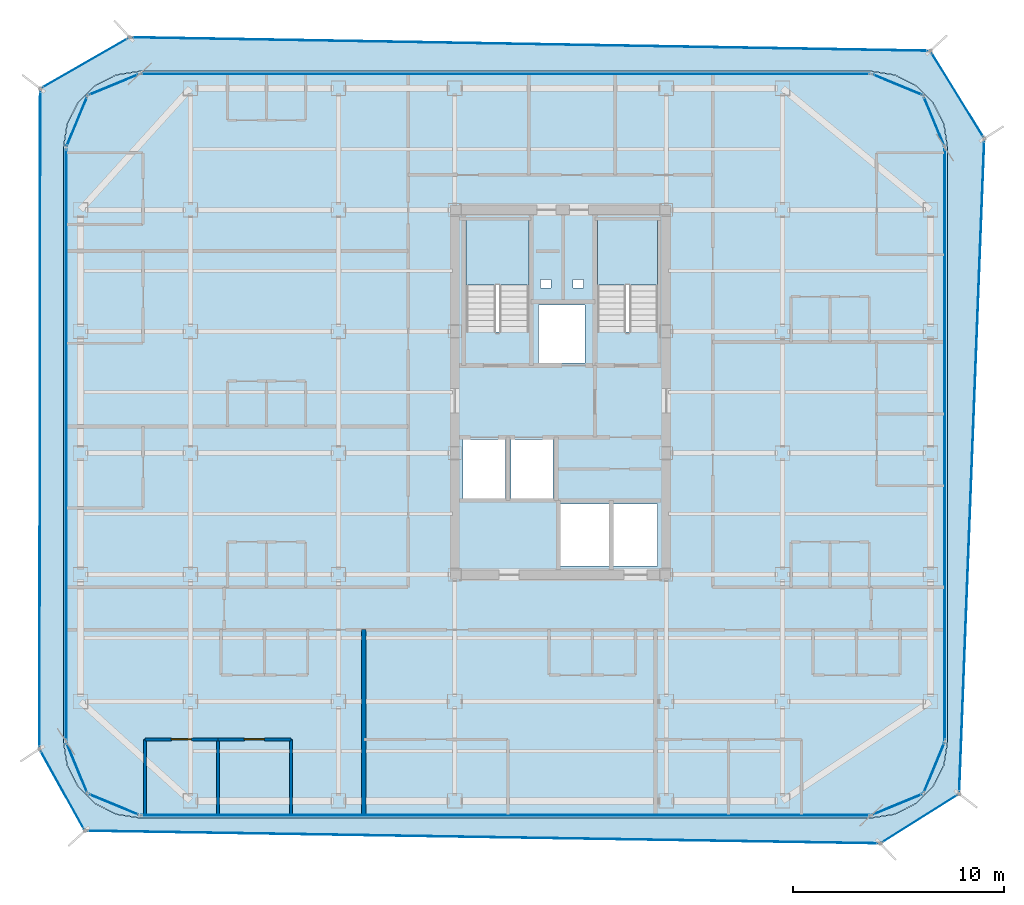
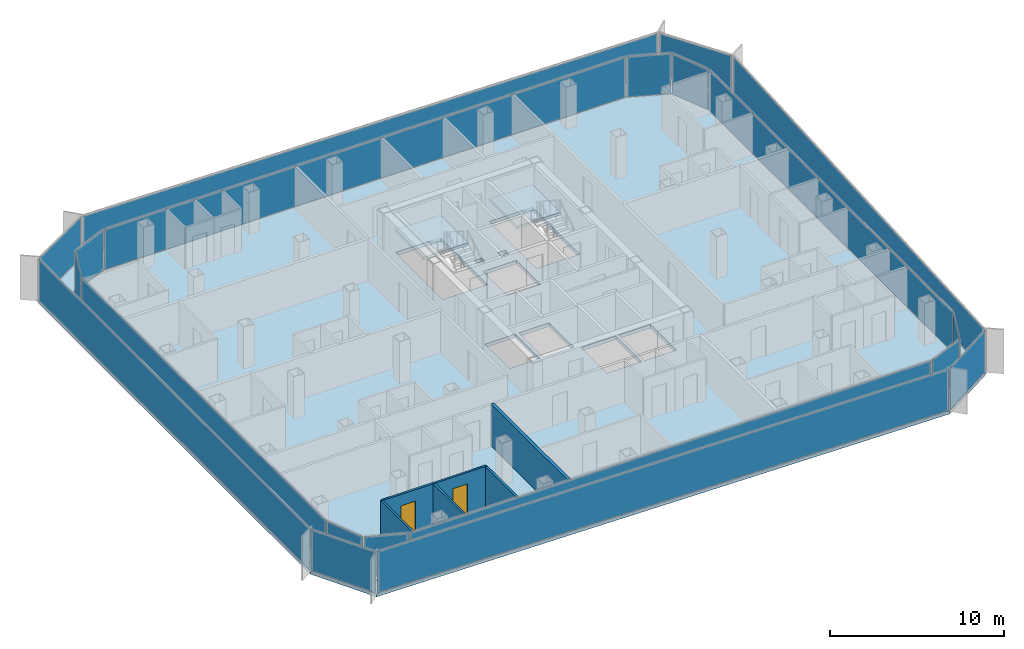
# One storey, part 9 of 16: 20 plates, 6 walls, 4 slabs, 2 doors, 2 openings, 22 elements without a shape of their own.
"""IFC4 building model written with IfcOpenShell, lengths in metres."""

from ifc_helpers import new_model, si_unit, direction, frame, frame_2d, origin, origin_2d, place, context, subcontext, project, spatial, polyline, rectangle, outline, extrude, source, transform, mapped, material, layer, layer_set, type_object, element, fill, aggregate, save


model = new_model("IFC4")

# Units and contexts
model_context = context("Model", 3, precision=1e-05, world=origin(), true_north=direction((0.0, 1.0)))
body_context = subcontext(model_context, "Body", "Model", "MODEL_VIEW")
ifc_project = project(units=[si_unit("LENGTHUNIT", "METRE"), si_unit("AREAUNIT", "SQUARE_METRE"), si_unit("VOLUMEUNIT", "CUBIC_METRE"), si_unit("PLANEANGLEUNIT", "RADIAN"), si_unit("MASSUNIT", "GRAM", prefix="KILO")], contexts=[model_context])

# Site, building, storey
site_placement = place(None, origin())
site = spatial("IfcSite", under=ifc_project, at=site_placement, CompositionType="ELEMENT")
building_placement = place(site_placement, origin())
building = spatial("IfcBuilding", under=site, at=building_placement, Name="Kolveth Station Tower", CompositionType="ELEMENT")
storey_placement = place(building_placement, frame((0.0, 0.0, 156.10009765625)))
storey = spatial("IfcBuildingStorey", under=building, at=storey_placement, Name="L43", CompositionType="ELEMENT", Elevation=156.10009765625)

# Slab
ifc_material_1 = material(Name="Concrete C40/50", Category="concrete")
ifc_layer_1 = layer(ifc_material_1, 0.25)
ifc_layer_set_1 = layer_set([ifc_layer_1], Name="Concrete C40/50")
slab_type_1 = type_object("IfcSlabType", Name="Slab_SF-250", PredefinedType="FLOOR", material=ifc_layer_set_1)
slab_1_placement = place(storey_placement, frame((0.0, 0.0, -0.25)))
element("IfcSlab", 1, at=slab_1_placement, inside=storey, type_object=slab_type_1, Name="L43 Tower Structural Floor Slab", PredefinedType="FLOOR", context=body_context, shape_type="SweptSolid", body=[
    extrude(outline(polyline([(38.199951171875, 0.0), (39.3125, 0.17626953125), (40.31591796875, 0.6875), (41.112548828125, 1.48388671875), (41.623779296875, 2.487548828125), (41.800048828125, 3.60009765625), (41.800048828125, 31.699951171875), (41.623779296875, 32.8125), (41.112548828125, 33.81591796875), (40.31591796875, 34.612548828125), (39.3125, 35.123779296875), (38.199951171875, 35.300048828125), (3.60009765625, 35.300048828125), (2.487548828125, 35.123779296875), (1.48388671875, 34.612548828125), (0.6875, 33.81591796875), (0.17626953125, 32.8125), (0.0, 31.699951171875), (0.0, 3.60009765625), (0.17626953125, 2.487548828125), (0.6875, 1.48388671875), (1.48388671875, 0.6875), (2.487548828125, 0.17626953125), (3.60009765625, 0.0), (38.199951171875, 0.0)]), holes=[polyline([(19.0400390625, 22.985107421875), (22.0, 22.985107421875), (22.0, 28.39990234375), (19.0400390625, 28.39990234375), (19.0400390625, 22.985107421875)]), polyline([(25.239990234375, 22.985107421875), (28.10009765625, 22.985107421875), (28.10009765625, 28.39990234375), (25.239990234375, 28.39990234375), (25.239990234375, 22.985107421875)]), polyline([(18.89990234375, 15.10009765625), (20.89990234375, 15.10009765625), (20.89990234375, 17.89990234375), (18.89990234375, 17.89990234375), (18.89990234375, 15.10009765625)]), polyline([(21.14990234375, 15.10009765625), (23.14990234375, 15.10009765625), (23.14990234375, 17.89990234375), (21.14990234375, 17.89990234375), (21.14990234375, 15.10009765625)]), polyline([(22.449951171875, 21.5), (24.64990234375, 21.5), (24.64990234375, 24.25), (22.449951171875, 24.25), (22.449951171875, 21.5)]), polyline([(23.5, 11.89990234375), (25.800048828125, 11.89990234375), (25.800048828125, 14.85009765625), (23.5, 14.85009765625), (23.5, 11.89990234375)]), polyline([(26.0, 11.89990234375), (28.10009765625, 11.89990234375), (28.10009765625, 14.85009765625), (26.0, 14.85009765625), (26.0, 11.89990234375)]), polyline([(22.550048828125, 25.050048828125), (23.050048828125, 25.050048828125), (23.050048828125, 25.449951171875), (22.550048828125, 25.449951171875), (22.550048828125, 25.050048828125)]), polyline([(24.10009765625, 25.050048828125), (24.60009765625, 25.050048828125), (24.60009765625, 25.449951171875), (24.10009765625, 25.449951171875), (24.10009765625, 25.050048828125)])]), origin(), (0.0, 0.0, 1.0), 0.25),
])

# Stair, slab
stair_type_1 = type_object("IfcStairType", Name="Stair_ST2", PredefinedType="HALF_TURN_STAIR", material=ifc_material_1)
stair_1_placement = place(storey_placement, origin())
stair_1 = element("IfcStair", 2, at=stair_1_placement, inside=storey, type_object=stair_type_1, Name="L43 Tower Exit Stair ST2", PredefinedType="HALF_TURN_STAIR")
ifc_layer_2 = layer(ifc_material_1, 0.18994140625)
ifc_layer_set_2 = layer_set([ifc_layer_2], Name="Concrete C40/50")
slab_type_2 = type_object("IfcSlabType", Name="Slab_SL-190", PredefinedType="LANDING", material=ifc_layer_set_2)
slab_2_placement = place(storey_placement, frame((0.0, 0.0, 1.39990234375)))
slab_2 = element("IfcSlab", 3, at=slab_2_placement, type_object=slab_type_2, Name="ST2 landing 1", PredefinedType="LANDING", context=body_context, shape_type="SweptSolid", body=[
    extrude(outline(polyline([(28.10009765625, 25.18994140625), (28.10009765625, 28.39990234375), (25.239990234375, 28.39990234375), (25.239990234375, 25.18994140625), (28.10009765625, 25.18994140625)])), origin(), (0.0, 0.0, 1.0), 0.199951171875),
])
aggregate(stair_1, [slab_2])

stair_type_2 = type_object("IfcStairType", Name="Stair_ST1", PredefinedType="HALF_TURN_STAIR", material=ifc_material_1)
stair_2_placement = place(storey_placement, origin())
stair_2 = element("IfcStair", 4, at=stair_2_placement, inside=storey, type_object=stair_type_2, Name="L43 Tower Exit Stair ST1", PredefinedType="HALF_TURN_STAIR")
ifc_layer_3 = layer(ifc_material_1, 0.205078125)
ifc_layer_set_3 = layer_set([ifc_layer_3], Name="Concrete C40/50")
slab_type_3 = type_object("IfcSlabType", Name="Slab_SL-205", PredefinedType="LANDING", material=ifc_layer_set_3)
slab_3_placement = place(storey_placement, frame((0.0, 0.0, 1.39990234375)))
slab_3 = element("IfcSlab", 5, at=slab_3_placement, type_object=slab_type_3, Name="ST1 landing 1", PredefinedType="LANDING", context=body_context, shape_type="SweptSolid", body=[
    extrude(outline(polyline([(22.0, 25.18994140625), (22.0, 28.39990234375), (19.0400390625, 28.39990234375), (19.0400390625, 25.18994140625), (22.0, 25.18994140625)])), origin(), (0.0, 0.0, 1.0), 0.199951171875),
])
aggregate(stair_2, [slab_3])

# Slab
ifc_layer_4 = layer(ifc_material_1, 0.2099609375)
ifc_layer_set_4 = layer_set([ifc_layer_4], Name="Concrete C40/50")
slab_type_4 = type_object("IfcSlabType", Name="Slab_ST-210", PredefinedType="FLOOR", material=ifc_layer_set_4)
slab_4_placement = place(storey_placement, frame((0.0, 0.0, -0.210205078125)))
element("IfcSlab", 6, at=slab_4_placement, inside=storey, type_object=slab_type_4, Name="L43 Double-Skin Cavity Structural Ledger Ring", PredefinedType="FLOOR", context=body_context, shape_type="SweptSolid", body=[
    extrude(outline(polyline([(1.010986328125, -0.614501953125), (-1.13671875, 3.25390625), (-1.100341796875, 34.480712890625), (3.12646484375, 36.908935546875), (40.99169921875, 36.269775390625), (43.5458984375, 32.122314453125), (42.355712890625, 1.132080078125), (38.62451171875, -1.2119140625), (1.010986328125, -0.614501953125)]), holes=[polyline([(38.202392578125, -0.014892578125), (39.314697265625, 0.161376953125), (39.3193359375, 0.162841796875), (40.32275390625, 0.674072265625), (40.32666015625, 0.677001953125), (41.123046875, 1.473388671875), (41.1259765625, 1.477294921875), (41.63720703125, 2.480712890625), (41.638671875, 2.485107421875), (41.814697265625, 3.59765625), (41.81494140625, 3.60009765625), (41.81494140625, 31.699951171875), (41.814697265625, 31.702392578125), (41.638671875, 32.814697265625), (41.63720703125, 32.8193359375), (41.1259765625, 33.82275390625), (41.123046875, 33.82666015625), (40.32666015625, 34.623046875), (40.32275390625, 34.6259765625), (39.3193359375, 35.13720703125), (39.314697265625, 35.138671875), (38.202392578125, 35.314697265625), (38.199951171875, 35.31494140625), (3.60009765625, 35.31494140625), (3.59765625, 35.314697265625), (2.485107421875, 35.138671875), (2.480712890625, 35.13720703125), (1.477294921875, 34.6259765625), (1.473388671875, 34.623046875), (0.677001953125, 33.82666015625), (0.674072265625, 33.82275390625), (0.162841796875, 32.8193359375), (0.161376953125, 32.814697265625), (-0.014892578125, 31.702392578125), (-0.014892578125, 31.699951171875), (-0.014892578125, 3.60009765625), (-0.014892578125, 3.59765625), (0.161376953125, 2.485107421875), (0.162841796875, 2.480712890625), (0.674072265625, 1.477294921875), (0.677001953125, 1.473388671875), (1.473388671875, 0.677001953125), (1.477294921875, 0.674072265625), (2.480712890625, 0.162841796875), (2.485107421875, 0.161376953125), (3.59765625, -0.014892578125), (3.60009765625, -0.014892578125), (38.199951171875, -0.014892578125), (38.202392578125, -0.014892578125)])]), origin(), (0.0, 0.0, 1.0), 0.210205078125),
])

# Curtain wall, plate
ifc_material_2 = material(Name="Aluminium 6063-T6 and low-E dark glass", Category="aluminium")
ifc_layer_5 = layer(ifc_material_2, 0.18994140625)
ifc_layer_set_5 = layer_set([ifc_layer_5], Name="Aluminium 6063-T6 and low-E dark glass")
curtain_wall_type_1 = type_object("IfcCurtainWallType", Name="CurtainWall_CW-Z2", PredefinedType="NOTDEFINED", material=ifc_layer_set_5)
curtain_wall_1_placement = place(storey_placement, origin())
curtain_wall_1 = element("IfcCurtainWall", 7, at=curtain_wall_1_placement, inside=storey, type_object=curtain_wall_type_1, Name="L43 Inner Thermal Curtain Wall 1", PredefinedType="NOTDEFINED")
ifc_material_3 = material(Name="Architectural low-E dark glass", Category="glass")
ifc_layer_6 = layer(ifc_material_3, 0.0380859375)
ifc_layer_set_6 = layer_set([ifc_layer_6], Name="Architectural low-E dark glass")
plate_type_1 = type_object("IfcPlateType", Name="Panel_GL2", PredefinedType="CURTAIN_PANEL", material=ifc_layer_set_6)
shared_shape_1 = source(origin(), body_context, "Body", "SweptSolid", [
    extrude(rectangle(XDim=2.517578125, YDim=0.0380859375, at=origin_2d()), origin(), (0.0, 0.0, 1.0), 2.803955078125),
])
plate_1_placement = place(storey_placement, frame((39.430419921875, 0.629638671875, 0.07275390625), z_axis=(0.0, 0.0, 1.0), x_axis=(0.923873600544, 0.382697753087, 0.0)))
plate_1 = element("IfcPlate", 8, at=plate_1_placement, type_object=plate_type_1, Name="CW-Z2 panel 1.1", PredefinedType="CURTAIN_PANEL", context=body_context, shape_type="MappedRepresentation", body=[
    mapped(shared_shape_1, transform((0.0, 0.0, 0.0), x_axis=(1.0, 0.0, 0.0), y_axis=(0.0, 1.0, 0.0), z_axis=(0.0, 0.0, 1.0), scale=1.0)),
])
aggregate(curtain_wall_1, [plate_1])

curtain_wall_2_placement = place(storey_placement, origin())
curtain_wall_2 = element("IfcCurtainWall", 9, at=curtain_wall_2_placement, inside=storey, type_object=curtain_wall_type_1, Name="L43 Inner Thermal Curtain Wall 2", PredefinedType="NOTDEFINED")
plate_2_placement = place(storey_placement, frame((41.17041015625, 2.36962890625, 0.07275390625), z_axis=(0.0, 0.0, 1.0), x_axis=(0.382697753087, 0.923873600544, 0.0)))
plate_2 = element("IfcPlate", 10, at=plate_2_placement, type_object=plate_type_1, Name="CW-Z2 panel 1.1", PredefinedType="CURTAIN_PANEL", context=body_context, shape_type="MappedRepresentation", body=[
    mapped(shared_shape_1, transform((0.0, 0.0, 0.0), x_axis=(1.0, 0.0, 0.0), y_axis=(0.0, 1.0, 0.0), z_axis=(0.0, 0.0, 1.0), scale=1.0)),
])
aggregate(curtain_wall_2, [plate_2])

curtain_wall_3_placement = place(storey_placement, origin())
curtain_wall_3 = element("IfcCurtainWall", 11, at=curtain_wall_3_placement, inside=storey, type_object=curtain_wall_type_1, Name="L43 Inner Thermal Curtain Wall 4", PredefinedType="NOTDEFINED")
plate_3_placement = place(storey_placement, frame((41.17041015625, 32.930419921875, 0.07275390625), z_axis=(0.0, 0.0, 1.0), x_axis=(-0.382697753087, 0.923873600544, 0.0)))
plate_3 = element("IfcPlate", 12, at=plate_3_placement, type_object=plate_type_1, Name="CW-Z2 panel 1.1", PredefinedType="CURTAIN_PANEL", context=body_context, shape_type="MappedRepresentation", body=[
    mapped(shared_shape_1, transform((0.0, 0.0, 0.0), x_axis=(1.0, 0.0, 0.0), y_axis=(0.0, 1.0, 0.0), z_axis=(0.0, 0.0, 1.0), scale=1.0)),
])
aggregate(curtain_wall_3, [plate_3])

curtain_wall_4_placement = place(storey_placement, origin())
curtain_wall_4 = element("IfcCurtainWall", 13, at=curtain_wall_4_placement, inside=storey, type_object=curtain_wall_type_1, Name="L43 Inner Thermal Curtain Wall 5", PredefinedType="NOTDEFINED")
plate_4_placement = place(storey_placement, frame((39.430419921875, 34.67041015625, 0.07275390625), z_axis=(0.0, 0.0, 1.0), x_axis=(-0.923873600544, 0.382697753087, 0.0)))
plate_4 = element("IfcPlate", 14, at=plate_4_placement, type_object=plate_type_1, Name="CW-Z2 panel 1.1", PredefinedType="CURTAIN_PANEL", context=body_context, shape_type="MappedRepresentation", body=[
    mapped(shared_shape_1, transform((0.0, 0.0, 0.0), x_axis=(1.0, 0.0, 0.0), y_axis=(0.0, 1.0, 0.0), z_axis=(0.0, 0.0, 1.0), scale=1.0)),
])
aggregate(curtain_wall_4, [plate_4])

curtain_wall_5_placement = place(storey_placement, origin())
curtain_wall_5 = element("IfcCurtainWall", 15, at=curtain_wall_5_placement, inside=storey, type_object=curtain_wall_type_1, Name="L43 Inner Thermal Curtain Wall 7", PredefinedType="NOTDEFINED")
plate_5_placement = place(storey_placement, frame((2.36962890625, 34.67041015625, 0.07275390625), z_axis=(0.0, 0.0, 1.0), x_axis=(-0.923873600544, -0.382697753087, 0.0)))
plate_5 = element("IfcPlate", 16, at=plate_5_placement, type_object=plate_type_1, Name="CW-Z2 panel 1.1", PredefinedType="CURTAIN_PANEL", context=body_context, shape_type="MappedRepresentation", body=[
    mapped(shared_shape_1, transform((0.0, 0.0, 0.0), x_axis=(1.0, 0.0, 0.0), y_axis=(0.0, 1.0, 0.0), z_axis=(0.0, 0.0, 1.0), scale=1.0)),
])
aggregate(curtain_wall_5, [plate_5])

curtain_wall_6_placement = place(storey_placement, origin())
curtain_wall_6 = element("IfcCurtainWall", 17, at=curtain_wall_6_placement, inside=storey, type_object=curtain_wall_type_1, Name="L43 Inner Thermal Curtain Wall 8", PredefinedType="NOTDEFINED")
plate_6_placement = place(storey_placement, frame((0.629638671875, 32.930419921875, 0.07275390625), z_axis=(0.0, 0.0, 1.0), x_axis=(-0.382697753087, -0.923873600544, 0.0)))
plate_6 = element("IfcPlate", 18, at=plate_6_placement, type_object=plate_type_1, Name="CW-Z2 panel 1.1", PredefinedType="CURTAIN_PANEL", context=body_context, shape_type="MappedRepresentation", body=[
    mapped(shared_shape_1, transform((0.0, 0.0, 0.0), x_axis=(1.0, 0.0, 0.0), y_axis=(0.0, 1.0, 0.0), z_axis=(0.0, 0.0, 1.0), scale=1.0)),
])
aggregate(curtain_wall_6, [plate_6])

curtain_wall_7_placement = place(storey_placement, origin())
curtain_wall_7 = element("IfcCurtainWall", 19, at=curtain_wall_7_placement, inside=storey, type_object=curtain_wall_type_1, Name="L43 Inner Thermal Curtain Wall 10", PredefinedType="NOTDEFINED")
plate_7_placement = place(storey_placement, frame((0.629638671875, 2.36962890625, 0.07275390625), z_axis=(0.0, 0.0, 1.0), x_axis=(0.382697753087, -0.923873600544, 0.0)))
plate_7 = element("IfcPlate", 20, at=plate_7_placement, type_object=plate_type_1, Name="CW-Z2 panel 1.1", PredefinedType="CURTAIN_PANEL", context=body_context, shape_type="MappedRepresentation", body=[
    mapped(shared_shape_1, transform((0.0, 0.0, 0.0), x_axis=(1.0, 0.0, 0.0), y_axis=(0.0, 1.0, 0.0), z_axis=(0.0, 0.0, 1.0), scale=1.0)),
])
aggregate(curtain_wall_7, [plate_7])

curtain_wall_8_placement = place(storey_placement, origin())
curtain_wall_8 = element("IfcCurtainWall", 21, at=curtain_wall_8_placement, inside=storey, type_object=curtain_wall_type_1, Name="L43 Inner Thermal Curtain Wall 11", PredefinedType="NOTDEFINED")
plate_8_placement = place(storey_placement, frame((2.36962890625, 0.629638671875, 0.07275390625), z_axis=(0.0, 0.0, 1.0), x_axis=(0.923873600544, -0.382697753087, 0.0)))
plate_8 = element("IfcPlate", 22, at=plate_8_placement, type_object=plate_type_1, Name="CW-Z2 panel 1.1", PredefinedType="CURTAIN_PANEL", context=body_context, shape_type="MappedRepresentation", body=[
    mapped(shared_shape_1, transform((0.0, 0.0, 0.0), x_axis=(1.0, 0.0, 0.0), y_axis=(0.0, 1.0, 0.0), z_axis=(0.0, 0.0, 1.0), scale=1.0)),
])
aggregate(curtain_wall_8, [plate_8])

curtain_wall_9_placement = place(storey_placement, origin())
curtain_wall_9 = element("IfcCurtainWall", 23, at=curtain_wall_9_placement, inside=storey, type_object=curtain_wall_type_1, Name="L43 Inner Thermal Curtain Wall 3", PredefinedType="NOTDEFINED")
shared_shape_2 = source(origin(), body_context, "Body", "SweptSolid", [
    extrude(rectangle(XDim=27.9541015625, YDim=0.0380859375, at=origin_2d()), origin(), (0.0, 0.0, 1.0), 2.803955078125),
])
plate_9_placement = place(storey_placement, frame((41.679931640625, 17.64990234375, 0.07275390625), z_axis=(0.0, 0.0, 1.0), x_axis=(0.0, 1.0, 0.0)))
plate_9 = element("IfcPlate", 24, at=plate_9_placement, type_object=plate_type_1, Name="CW-Z2 panel 1.1", PredefinedType="CURTAIN_PANEL", context=body_context, shape_type="MappedRepresentation", body=[
    mapped(shared_shape_2, transform((0.0, 0.0, 0.0), x_axis=(1.0, 0.0, 0.0), y_axis=(0.0, 1.0, 0.0), z_axis=(0.0, 0.0, 1.0), scale=1.0)),
])
aggregate(curtain_wall_9, [plate_9])

curtain_wall_10_placement = place(storey_placement, origin())
curtain_wall_10 = element("IfcCurtainWall", 25, at=curtain_wall_10_placement, inside=storey, type_object=curtain_wall_type_1, Name="L43 Inner Thermal Curtain Wall 9", PredefinedType="NOTDEFINED")
plate_10_placement = place(storey_placement, frame((0.1201171875, 17.64990234375, 0.07275390625), z_axis=(0.0, 0.0, 1.0), x_axis=(0.0, -1.0, 0.0)))
plate_10 = element("IfcPlate", 26, at=plate_10_placement, type_object=plate_type_1, Name="CW-Z2 panel 1.1", PredefinedType="CURTAIN_PANEL", context=body_context, shape_type="MappedRepresentation", body=[
    mapped(shared_shape_2, transform((0.0, 0.0, 0.0), x_axis=(1.0, 0.0, 0.0), y_axis=(0.0, 1.0, 0.0), z_axis=(0.0, 0.0, 1.0), scale=1.0)),
])
aggregate(curtain_wall_10, [plate_10])

curtain_wall_11_placement = place(storey_placement, origin())
curtain_wall_11 = element("IfcCurtainWall", 27, at=curtain_wall_11_placement, inside=storey, type_object=curtain_wall_type_1, Name="L43 Inner Thermal Curtain Wall 6", PredefinedType="NOTDEFINED")
shared_shape_3 = source(origin(), body_context, "Body", "SweptSolid", [
    extrude(rectangle(XDim=34.4541015625, YDim=0.0380859375, at=origin_2d()), origin(), (0.0, 0.0, 1.0), 2.803955078125),
])
plate_11_placement = place(storey_placement, frame((20.89990234375, 35.179931640625, 0.07275390625), z_axis=(0.0, 0.0, 1.0), x_axis=(-1.0, 0.0, 0.0)))
plate_11 = element("IfcPlate", 28, at=plate_11_placement, type_object=plate_type_1, Name="CW-Z2 panel 1.1", PredefinedType="CURTAIN_PANEL", context=body_context, shape_type="MappedRepresentation", body=[
    mapped(shared_shape_3, transform((0.0, 0.0, 0.0), x_axis=(1.0, 0.0, 0.0), y_axis=(0.0, 1.0, 0.0), z_axis=(0.0, 0.0, 1.0), scale=1.0)),
])
aggregate(curtain_wall_11, [plate_11])

curtain_wall_12_placement = place(storey_placement, origin())
curtain_wall_12 = element("IfcCurtainWall", 29, at=curtain_wall_12_placement, inside=storey, type_object=curtain_wall_type_1, Name="L43 Inner Thermal Curtain Wall 12", PredefinedType="NOTDEFINED")
plate_12_placement = place(storey_placement, frame((20.89990234375, 0.1201171875, 0.07275390625), z_axis=(0.0, 0.0, 1.0), x_axis=(1.0, 0.0, 0.0)))
plate_12 = element("IfcPlate", 30, at=plate_12_placement, type_object=plate_type_1, Name="CW-Z2 panel 1.1", PredefinedType="CURTAIN_PANEL", context=body_context, shape_type="MappedRepresentation", body=[
    mapped(shared_shape_3, transform((0.0, 0.0, 0.0), x_axis=(1.0, 0.0, 0.0), y_axis=(0.0, 1.0, 0.0), z_axis=(0.0, 0.0, 1.0), scale=1.0)),
])
aggregate(curtain_wall_12, [plate_12])

ifc_material_4 = material(Name="Black anodized aluminium 6063-T6 and dark solar glass", Category="aluminium")
ifc_layer_7 = layer(ifc_material_4, 0.159912109375)
ifc_layer_set_7 = layer_set([ifc_layer_7], Name="Black anodized aluminium 6063-T6 and dark solar glass")
curtain_wall_type_2 = type_object("IfcCurtainWallType", Name="OUTER SKIN CW-OS", PredefinedType="NOTDEFINED", material=ifc_layer_set_7)
curtain_wall_13_placement = place(storey_placement, origin())
curtain_wall_13 = element("IfcCurtainWall", 31, at=curtain_wall_13_placement, inside=storey, type_object=curtain_wall_type_2, Name="L43 Outer Ventilated Skin Curtain Wall 1", PredefinedType="NOTDEFINED")
ifc_layer_8 = layer(ifc_material_3, 0.028076171875)
ifc_layer_set_8 = layer_set([ifc_layer_8], Name="Architectural low-E dark glass")
plate_type_2 = type_object("IfcPlateType", Name="Panel_GL-OS", PredefinedType="CURTAIN_PANEL", material=ifc_layer_set_8)
shared_shape_4 = source(origin(), body_context, "Body", "SweptSolid", [
    extrude(rectangle(XDim=4.240234375, YDim=0.028076171875, at=origin_2d()), origin(), (0.0, 0.0, 1.0), 2.843994140625),
])
plate_13_placement = place(storey_placement, frame((40.490234375, -0.039794921875, 0.07275390625), z_axis=(0.0, 0.0, 1.0), x_axis=(0.846765654906, 0.531966094475, 0.0)))
plate_13 = element("IfcPlate", 32, at=plate_13_placement, type_object=plate_type_2, Name="CW-OS panel 1.1", PredefinedType="CURTAIN_PANEL", context=body_context, shape_type="MappedRepresentation", body=[
    mapped(shared_shape_4, transform((0.0, 0.0, 0.0), x_axis=(1.0, 0.0, 0.0), y_axis=(0.0, 1.0, 0.0), z_axis=(0.0, 0.0, 1.0), scale=1.0)),
])
aggregate(curtain_wall_13, [plate_13])

curtain_wall_14_placement = place(storey_placement, origin())
curtain_wall_14 = element("IfcCurtainWall", 33, at=curtain_wall_14_placement, inside=storey, type_object=curtain_wall_type_2, Name="L43 Outer Ventilated Skin Curtain Wall 2", PredefinedType="NOTDEFINED")
shared_shape_5 = source(origin(), body_context, "Body", "SweptSolid", [
    extrude(rectangle(XDim=30.846923828125, YDim=0.028076171875, at=origin_2d()), origin(), (0.0, 0.0, 1.0), 2.843994140625),
])
plate_14_placement = place(storey_placement, frame((42.95068359375, 16.627197265625, 0.07275390625), z_axis=(0.0, 0.0, 1.0), x_axis=(0.038374300635, 0.999263435262, 0.0)))
plate_14 = element("IfcPlate", 34, at=plate_14_placement, type_object=plate_type_2, Name="CW-OS panel 1.1", PredefinedType="CURTAIN_PANEL", context=body_context, shape_type="MappedRepresentation", body=[
    mapped(shared_shape_5, transform((0.0, 0.0, 0.0), x_axis=(1.0, 0.0, 0.0), y_axis=(0.0, 1.0, 0.0), z_axis=(0.0, 0.0, 1.0), scale=1.0)),
])
aggregate(curtain_wall_14, [plate_14])

curtain_wall_15_placement = place(storey_placement, origin())
curtain_wall_15 = element("IfcCurtainWall", 35, at=curtain_wall_15_placement, inside=storey, type_object=curtain_wall_type_2, Name="L43 Outer Ventilated Skin Curtain Wall 3", PredefinedType="NOTDEFINED")
shared_shape_6 = source(origin(), body_context, "Body", "SweptSolid", [
    extrude(rectangle(XDim=4.704833984375, YDim=0.028076171875, at=origin_2d()), origin(), (0.0, 0.0, 1.0), 2.843994140625),
])
plate_15_placement = place(storey_placement, frame((42.268798828125, 34.196044921875, 0.07275390625), z_axis=(0.0, 0.0, 1.0), x_axis=(-0.524340241767, 0.851508843679, 0.0)))
plate_15 = element("IfcPlate", 36, at=plate_15_placement, type_object=plate_type_2, Name="CW-OS panel 1.1", PredefinedType="CURTAIN_PANEL", context=body_context, shape_type="MappedRepresentation", body=[
    mapped(shared_shape_6, transform((0.0, 0.0, 0.0), x_axis=(1.0, 0.0, 0.0), y_axis=(0.0, 1.0, 0.0), z_axis=(0.0, 0.0, 1.0), scale=1.0)),
])
aggregate(curtain_wall_15, [plate_15])

curtain_wall_16_placement = place(storey_placement, origin())
curtain_wall_16 = element("IfcCurtainWall", 37, at=curtain_wall_16_placement, inside=storey, type_object=curtain_wall_type_2, Name="L43 Outer Ventilated Skin Curtain Wall 4", PredefinedType="NOTDEFINED")
shared_shape_7 = source(origin(), body_context, "Body", "SweptSolid", [
    extrude(rectangle(XDim=37.70458984375, YDim=0.028076171875, at=origin_2d()), origin(), (0.0, 0.0, 1.0), 2.843994140625),
])
plate_16_placement = place(storey_placement, frame((22.05908203125, 36.58935546875, 0.07275390625), z_axis=(0.0, 0.0, 1.0), x_axis=(-0.999857548205, 0.016878486243, 0.0)))
plate_16 = element("IfcPlate", 38, at=plate_16_placement, type_object=plate_type_2, Name="CW-OS panel 1.1", PredefinedType="CURTAIN_PANEL", context=body_context, shape_type="MappedRepresentation", body=[
    mapped(shared_shape_7, transform((0.0, 0.0, 0.0), x_axis=(1.0, 0.0, 0.0), y_axis=(0.0, 1.0, 0.0), z_axis=(0.0, 0.0, 1.0), scale=1.0)),
])
aggregate(curtain_wall_16, [plate_16])

curtain_wall_17_placement = place(storey_placement, origin())
curtain_wall_17 = element("IfcCurtainWall", 39, at=curtain_wall_17_placement, inside=storey, type_object=curtain_wall_type_2, Name="L43 Outer Ventilated Skin Curtain Wall 5", PredefinedType="NOTDEFINED")
shared_shape_8 = source(origin(), body_context, "Body", "SweptSolid", [
    extrude(rectangle(XDim=4.708740234375, YDim=0.028076171875, at=origin_2d()), origin(), (0.0, 0.0, 1.0), 2.843994140625),
])
plate_17_placement = place(storey_placement, frame((1.012939453125, 35.69482421875, 0.07275390625), z_axis=(0.0, 0.0, 1.0), x_axis=(-0.867107239167, -0.498121507049, 0.0)))
plate_17 = element("IfcPlate", 40, at=plate_17_placement, type_object=plate_type_2, Name="CW-OS panel 1.1", PredefinedType="CURTAIN_PANEL", context=body_context, shape_type="MappedRepresentation", body=[
    mapped(shared_shape_8, transform((0.0, 0.0, 0.0), x_axis=(1.0, 0.0, 0.0), y_axis=(0.0, 1.0, 0.0), z_axis=(0.0, 0.0, 1.0), scale=1.0)),
])
aggregate(curtain_wall_17, [plate_17])

curtain_wall_18_placement = place(storey_placement, origin())
curtain_wall_18 = element("IfcCurtainWall", 41, at=curtain_wall_18_placement, inside=storey, type_object=curtain_wall_type_2, Name="L43 Outer Ventilated Skin Curtain Wall 6", PredefinedType="NOTDEFINED")
shared_shape_9 = source(origin(), body_context, "Body", "SweptSolid", [
    extrude(rectangle(XDim=31.06103515625, YDim=0.028076171875, at=origin_2d()), origin(), (0.0, 0.0, 1.0), 2.843994140625),
])
plate_18_placement = place(storey_placement, frame((-1.11865234375, 18.8671875, 0.07275390625), z_axis=(0.0, 0.0, 1.0), x_axis=(-0.001162454784, -0.999999324349, 0.0)))
plate_18 = element("IfcPlate", 42, at=plate_18_placement, type_object=plate_type_2, Name="CW-OS panel 1.1", PredefinedType="CURTAIN_PANEL", context=body_context, shape_type="MappedRepresentation", body=[
    mapped(shared_shape_9, transform((0.0, 0.0, 0.0), x_axis=(1.0, 0.0, 0.0), y_axis=(0.0, 1.0, 0.0), z_axis=(0.0, 0.0, 1.0), scale=1.0)),
])
aggregate(curtain_wall_18, [plate_18])

curtain_wall_19_placement = place(storey_placement, origin())
curtain_wall_19 = element("IfcCurtainWall", 43, at=curtain_wall_19_placement, inside=storey, type_object=curtain_wall_type_2, Name="L43 Outer Ventilated Skin Curtain Wall 7", PredefinedType="NOTDEFINED")
shared_shape_10 = source(origin(), body_context, "Body", "SweptSolid", [
    extrude(rectangle(XDim=4.2587890625, YDim=0.028076171875, at=origin_2d()), origin(), (0.0, 0.0, 1.0), 2.843994140625),
])
plate_19_placement = place(storey_placement, frame((-0.062744140625, 1.319580078125, 0.07275390625), z_axis=(0.0, 0.0, 1.0), x_axis=(0.485416482093, -0.874283042792, 0.0)))
plate_19 = element("IfcPlate", 44, at=plate_19_placement, type_object=plate_type_2, Name="CW-OS panel 1.1", PredefinedType="CURTAIN_PANEL", context=body_context, shape_type="MappedRepresentation", body=[
    mapped(shared_shape_10, transform((0.0, 0.0, 0.0), x_axis=(1.0, 0.0, 0.0), y_axis=(0.0, 1.0, 0.0), z_axis=(0.0, 0.0, 1.0), scale=1.0)),
])
aggregate(curtain_wall_19, [plate_19])

curtain_wall_20_placement = place(storey_placement, origin())
curtain_wall_20 = element("IfcCurtainWall", 45, at=curtain_wall_20_placement, inside=storey, type_object=curtain_wall_type_2, Name="L43 Outer Ventilated Skin Curtain Wall 8", PredefinedType="NOTDEFINED")
shared_shape_11 = source(origin(), body_context, "Body", "SweptSolid", [
    extrude(rectangle(XDim=37.4521484375, YDim=0.028076171875, at=origin_2d()), origin(), (0.0, 0.0, 1.0), 2.843994140625),
])
plate_20_placement = place(storey_placement, frame((19.81787109375, -0.913330078125, 0.07275390625), z_axis=(0.0, 0.0, 1.0), x_axis=(0.999873937646, -0.015877934865, 0.0)))
plate_20 = element("IfcPlate", 46, at=plate_20_placement, type_object=plate_type_2, Name="CW-OS panel 1.1", PredefinedType="CURTAIN_PANEL", context=body_context, shape_type="MappedRepresentation", body=[
    mapped(shared_shape_11, transform((0.0, 0.0, 0.0), x_axis=(1.0, 0.0, 0.0), y_axis=(0.0, 1.0, 0.0), z_axis=(0.0, 0.0, 1.0), scale=1.0)),
])
aggregate(curtain_wall_20, [plate_20])

# Walls
ifc_material_5 = material(Name="Moisture-resistant gypsum partition")
ifc_layer_9 = layer(ifc_material_5, 0.135009765625)
ifc_layer_set_9 = layer_set([ifc_layer_9], Name="Moisture-resistant gypsum partition")
wall_type_1 = type_object("IfcWallType", Name="Wall_IW-135", PredefinedType="PARTITIONING", material=ifc_layer_set_9)
for number, where, z_axis, x_axis, name in (
    (47, (3.85009765625, 0.159912109375, 0.0), (0.0, 0.0, 1.0), (0.0, 1.0, 0.0), "L43 Partition Wall WL-L43-A1-BDV0"),
    (48, (10.75, 0.159912109375, 0.0), (0.0, 0.0, 1.0), (0.0, 1.0, 0.0), "L43 Partition Wall WL-L43-A1-BDVE"),
):
    element("IfcWall", number, at=place(storey_placement, frame(where, z_axis=z_axis, x_axis=x_axis)), inside=storey, type_object=wall_type_1, Name=name, PredefinedType="PARTITIONING", context=body_context, shape_type="SweptSolid", body=[
        extrude(rectangle(XDim=3.550048828125, YDim=0.135009765625, at=frame_2d((1.77490234375, 0.0))), origin(), (0.0, 0.0, 1.0), 2.949951171875),
    ])

# Wall, opening, door
wall_1_placement = place(storey_placement, frame((3.85009765625, 3.7099609375, 0.0), z_axis=(0.0, 0.0, 1.0), x_axis=(1.0, 0.0, 0.0)))
wall_1 = element("IfcWall", 49, at=wall_1_placement, inside=storey, type_object=wall_type_1, Name="L43 Partition Wall WL-L43-A1-BDH1", PredefinedType="PARTITIONING", context=body_context, shape_type="SweptSolid", body=[
    extrude(rectangle(XDim=3.449951171875, YDim=0.135009765625, at=frame_2d((1.72509765625, 0.0))), origin(), (0.0, 0.0, 1.0), 2.949951171875),
])
opening_1_placement = place(wall_1_placement, frame((1.2451171875, 0.0, 0.0)))
opening_1 = element("IfcOpeningElement", 50, at=opening_1_placement, cuts=wall_1, Name="Opening ID1", PredefinedType="OPENING", context=body_context, shape_type="SweptSolid", body=[
    extrude(rectangle(XDim=0.949951171875, YDim=2.14990234375, at=frame_2d((0.47509765625, 1.074951171875))), frame((0.0, 0.077392578125, 0.0), z_axis=(0.0, -1.0, 0.0), x_axis=(1.0, 0.0, 0.0)), (0.0, 0.0, 1.0), 0.155029296875),
])
ifc_material_6 = material(Name="Acoustic hardwood leaf and aluminium frame", Category="wood")
door_type = type_object("IfcDoorType", Name="Door_ID1", OperationType="NOTDEFINED", PredefinedType="DOOR", material=ifc_material_6)
door_1_placement = place(opening_1_placement, frame((0.949951171875, 0.0, 0.0), z_axis=(0.0, 0.0, 1.0), x_axis=(-1.0, 0.0, 0.0)))
door_1 = element("IfcDoor", 51, at=door_1_placement, inside=storey, type_object=door_type, Name="Penthouse Flat L43-A1 Bedroom 1 Door", OperationType="SINGLE_SWING_RIGHT", OverallHeight=2.14990234375, OverallWidth=0.949951171875, PredefinedType="DOOR", context=body_context, shape_type="SweptSolid", body=[
    extrude(rectangle(XDim=0.949951171875, YDim=2.14990234375, at=frame_2d((0.47509765625, 1.074951171875))), frame((0.0, 0.02490234375, 0.0), z_axis=(0.0, -1.0, 0.0), x_axis=(1.0, 0.0, 0.0)), (0.0, 0.0, 1.0), 0.050048828125),
])
fill(opening_1, door_1)

wall_2_placement = place(storey_placement, frame((7.300048828125, 3.7099609375, 0.0), z_axis=(0.0, 0.0, 1.0), x_axis=(1.0, 0.0, 0.0)))
wall_2 = element("IfcWall", 52, at=wall_2_placement, inside=storey, type_object=wall_type_1, Name="L43 Partition Wall WL-L43-A1-BDH2", PredefinedType="PARTITIONING", context=body_context, shape_type="SweptSolid", body=[
    extrude(rectangle(XDim=3.449951171875, YDim=0.135009765625, at=frame_2d((1.72509765625, 0.0))), origin(), (0.0, 0.0, 1.0), 2.949951171875),
])
opening_2_placement = place(wall_2_placement, frame((1.2451171875, 0.0, 0.0)))
opening_2 = element("IfcOpeningElement", 53, at=opening_2_placement, cuts=wall_2, Name="Opening ID1", PredefinedType="OPENING", context=body_context, shape_type="SweptSolid", body=[
    extrude(rectangle(XDim=0.949951171875, YDim=2.14990234375, at=frame_2d((0.47509765625, 1.074951171875))), frame((0.0, 0.077392578125, 0.0), z_axis=(0.0, -1.0, 0.0), x_axis=(1.0, 0.0, 0.0)), (0.0, 0.0, 1.0), 0.155029296875),
])
door_2_placement = place(opening_2_placement, frame((0.949951171875, 0.0, 0.0), z_axis=(0.0, 0.0, 1.0), x_axis=(-1.0, 0.0, 0.0)))
door_2 = element("IfcDoor", 54, at=door_2_placement, inside=storey, type_object=door_type, Name="Penthouse Flat L43-A1 Bedroom 2 Door", OperationType="SINGLE_SWING_LEFT", OverallHeight=2.14990234375, OverallWidth=0.949951171875, PredefinedType="DOOR", context=body_context, shape_type="SweptSolid", body=[
    extrude(rectangle(XDim=0.949951171875, YDim=2.14990234375, at=frame_2d((0.47509765625, 1.074951171875))), frame((0.0, 0.02490234375, 0.0), z_axis=(0.0, -1.0, 0.0), x_axis=(1.0, 0.0, 0.0)), (0.0, 0.0, 1.0), 0.050048828125),
])
fill(opening_2, door_2)

# Walls
wall_3_placement = place(storey_placement, frame((7.300048828125, 0.159912109375, 0.0), z_axis=(0.0, 0.0, 1.0), x_axis=(0.0, 1.0, 0.0)))
element("IfcWall", 55, at=wall_3_placement, inside=storey, type_object=wall_type_1, Name="L43 Partition Wall WL-L43-A1-BDV1", PredefinedType="PARTITIONING", context=body_context, shape_type="SweptSolid", body=[
    extrude(rectangle(XDim=3.550048828125, YDim=0.135009765625, at=frame_2d((1.77490234375, 0.0))), origin(), (0.0, 0.0, 1.0), 2.949951171875),
])
ifc_material_7 = material(Name="Acoustic fire-rated gypsum blockwork", Category="masonry")
ifc_layer_10 = layer(ifc_material_7, 0.199951171875)
ifc_layer_set_10 = layer_set([ifc_layer_10], Name="Acoustic fire-rated gypsum blockwork")
wall_type_2 = type_object("IfcWallType", Name="Wall_IW-200", PredefinedType="PARTITIONING", material=ifc_layer_set_10)
wall_4_placement = place(storey_placement, frame((14.199951171875, 0.159912109375, 0.0), z_axis=(0.0, 0.0, 1.0), x_axis=(0.0, 1.0, 0.0)))
element("IfcWall", 56, at=wall_4_placement, inside=storey, type_object=wall_type_2, Name="L43 Partition Wall WL-L43-RSU-1", PredefinedType="PARTITIONING", context=body_context, shape_type="SweptSolid", body=[
    extrude(rectangle(XDim=8.739990234375, YDim=0.199951171875, at=frame_2d((4.3701171875, 0.0))), origin(), (0.0, 0.0, 1.0), 2.949951171875),
])

save(model, "model.ifc")
